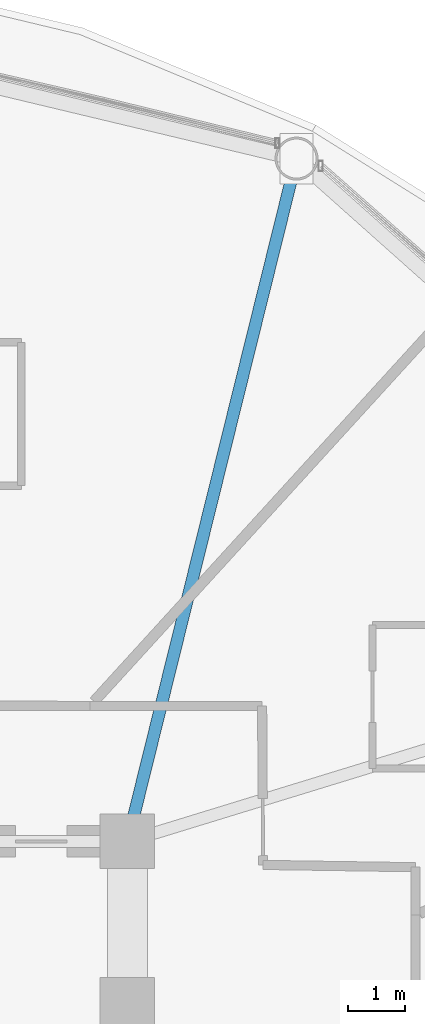
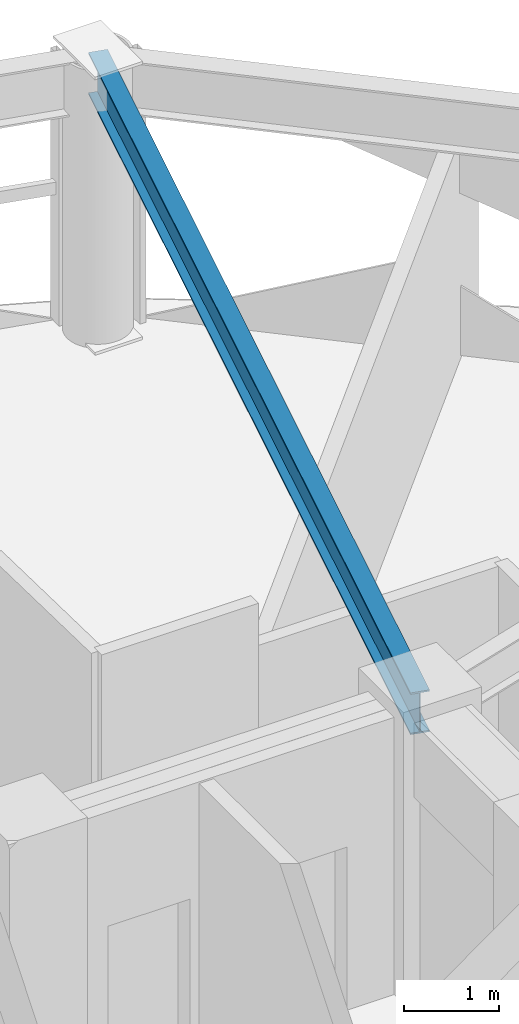
# One storey, part 19 of 30: 1 beam.
"""IFC4 building model written with IfcOpenShell, lengths in metres."""

from ifc_helpers import new_model, si_unit, direction, frame, origin, origin_2d, place, context, subcontext, project, spatial, i_section, extrude, material, material_profile, profile_set, type_object, element, save


model = new_model("IFC4")

# Units and contexts
model_context = context("Model", 3, precision=1e-05, world=origin(), true_north=direction((0.0, 1.0)))
body_context = subcontext(model_context, "Body", "Model", "MODEL_VIEW")
ifc_project = project(units=[si_unit("LENGTHUNIT", "METRE"), si_unit("AREAUNIT", "SQUARE_METRE"), si_unit("VOLUMEUNIT", "CUBIC_METRE"), si_unit("PLANEANGLEUNIT", "RADIAN"), si_unit("MASSUNIT", "GRAM", prefix="KILO")], contexts=[model_context])

# Site, building, storey
site_placement = place(None, origin())
site = spatial("IfcSite", under=ifc_project, at=site_placement, CompositionType="ELEMENT")
building_placement = place(site_placement, origin())
building = spatial("IfcBuilding", under=site, at=building_placement, Name="Vantalir Tower", CompositionType="ELEMENT")
storey_placement = place(building_placement, frame((0.0, 0.0, 130.949951171875)))
storey = spatial("IfcBuildingStorey", under=building, at=storey_placement, Name="L32", CompositionType="ELEMENT", Elevation=130.949951171875)

# Beam
ifc_material = material(Name="Steel S355", Category="steel")
ifc_material_profile = material_profile(ifc_material, i_section(OverallWidth=0.2109375, OverallDepth=0.5390625, WebThickness=0.01171875, FlangeThickness=0.018798828125, at=origin_2d()), Name="Steel S355")
ifc_profile_set = profile_set([ifc_material_profile], Name="Steel S355")
beam_type = type_object("IfcBeamType", Name="BM-RB-533x210", PredefinedType="BEAM", material=ifc_profile_set)
beam_placement = place(storey_placement, frame((44.047119140625, 44.35107421875, 3.301025390625), z_axis=(-0.240365710166, -0.970682401909, 0.0), x_axis=(0.970682401909, -0.240365710166, 0.0)))
element("IfcBeam", 1, at=beam_placement, inside=storey, type_object=beam_type, Name="L32 Radial Floor Beam 03", PredefinedType="BEAM", context=body_context, shape_type="SweptSolid", body=[
    extrude(i_section(OverallWidth=0.2109375, OverallDepth=0.5390625, WebThickness=0.01171875, FlangeThickness=0.018798828125, at=origin_2d()), origin(), (0.0, 0.0, 1.0), 12.260498046875),
])

save(model, "model.ifc")
